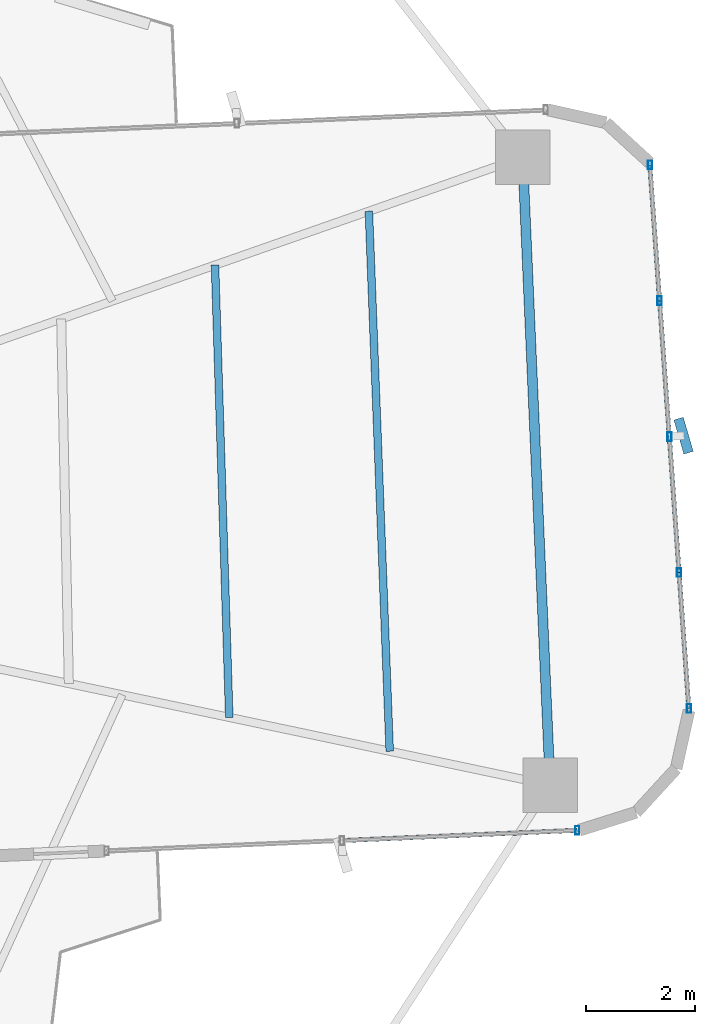
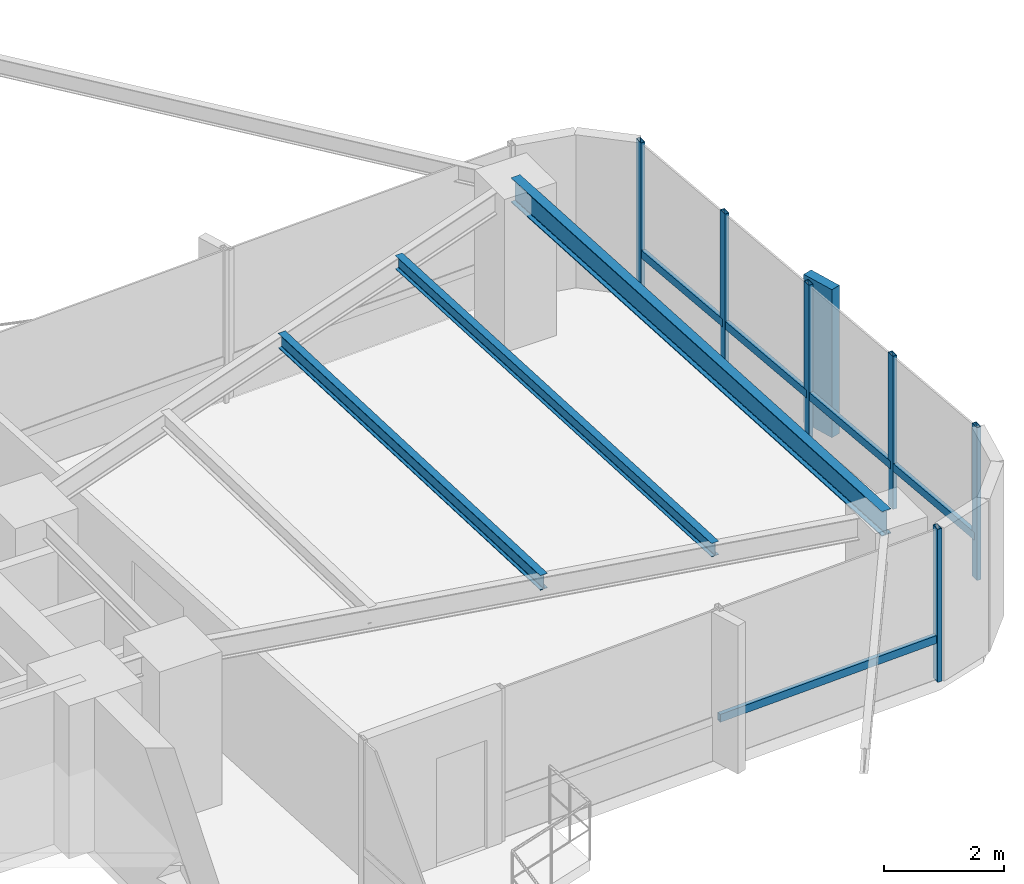
# One storey, part 15 of 26: 12 members, 3 beams, 2 elements without a shape of their own.
"""IFC4 building model written with IfcOpenShell, lengths in metres."""

import ifcopenshell
import ifcopenshell.guid

model = None  # the IFC model being written
_history = None  # IfcOwnerHistory: only IFC2X3 demands one
_inside = {}  # id of a spatial element -> (the spatial element, [elements in it])
_under = {}  # id of a project, library or spatial element -> (it, [spatial elements below it])
_declared = {}  # id of a project -> (the project, [libraries it declares])
_typed = {}  # id of a type object -> (the type object, [elements of that type])
_made_of = {}  # id of a material, layer set ... -> (it, [elements and type objects made of it])


def new_model(schema):
    """Start an empty IFC model of exactly this schema.

    Asked for "IFC4X3", IfcOpenShell would pick the latest addendum, in which some entities
    have other attributes; the version numbers below select the first issue.
    IFC2X3 requires an IfcOwnerHistory on every rooted entity: one is made here for all.
    """
    global model, _history
    if schema == "IFC4X3":
        model = ifcopenshell.file(schema_version=(4, 3, 0, 0))
    else:
        model = ifcopenshell.file(schema=schema)
    _inside.clear()
    _under.clear()
    _declared.clear()
    _typed.clear()
    _made_of.clear()
    _history = None
    if model.schema == "IFC2X3":
        org = make("IfcOrganization", Name="unknown")
        user = make(
            "IfcPersonAndOrganization",
            ThePerson=make("IfcPerson", FamilyName="unknown"),
            TheOrganization=org,
        )
        app = make(
            "IfcApplication",
            ApplicationDeveloper=org,
            Version="unknown",
            ApplicationFullName="unknown",
            ApplicationIdentifier="unknown",
        )
        _history = make(
            "IfcOwnerHistory",
            OwningUser=user,
            OwningApplication=app,
            ChangeAction="ADDED",
            CreationDate=0,
        )
    return model


def make(cls, **values):
    """One entity of the class cls with the attributes given. An attribute that is None is left unset."""
    return model.create_entity(
        cls, **{name: value for name, value in values.items() if value is not None}
    )


def rooted(cls, **values):
    """An entity with a GlobalId (a new one), such as an element, a storey or a relation."""
    return make(cls, GlobalId=ifcopenshell.guid.new(), OwnerHistory=_history, **values)


def si_unit(unit_type, name, prefix=None):
    """IfcSIUnit, for example si_unit("LENGTHUNIT", "METRE", prefix="MILLI")."""
    return make("IfcSIUnit", UnitType=unit_type, Prefix=prefix, Name=name)


def assignment(units):
    """IfcUnitAssignment: the units of a project."""
    return None if units is None else make("IfcUnitAssignment", Units=units)


def point(xyz):
    """IfcCartesianPoint."""
    return None if xyz is None else make("IfcCartesianPoint", Coordinates=xyz)


def direction(xyz):
    """IfcDirection."""
    return None if xyz is None else make("IfcDirection", DirectionRatios=xyz)


def frame(location, z_axis=None, x_axis=None):
    """IfcAxis2Placement3D, a coordinate frame: its origin and axes. An axis left out is left unset."""
    return make(
        "IfcAxis2Placement3D",
        Location=point(location),
        Axis=direction(z_axis),
        RefDirection=direction(x_axis),
    )


def frame_2d(location, x_axis=None):
    """IfcAxis2Placement2D, a coordinate frame in the plane: its origin and x axis."""
    return make(
        "IfcAxis2Placement2D", Location=point(location), RefDirection=direction(x_axis)
    )


def origin():
    """The frame at (0, 0, 0) with its axes left unset."""
    return frame((0.0, 0.0, 0.0))


def origin_2d():
    """The frame at (0, 0) in the plane with its x axis left unset."""
    return frame_2d((0.0, 0.0))


def place(relative_to, where):
    """IfcLocalPlacement: puts the frame where relative to a parent placement (None: the world)."""
    return make(
        "IfcLocalPlacement", PlacementRelTo=relative_to, RelativePlacement=where
    )


def context(
    kind, dimensions, precision=None, world=None, true_north=None, identifier=None
):
    """IfcGeometricRepresentationContext, for example the 3D "Model" context."""
    return make(
        "IfcGeometricRepresentationContext",
        ContextIdentifier=identifier,
        ContextType=kind,
        CoordinateSpaceDimension=dimensions,
        Precision=precision,
        WorldCoordinateSystem=world,
        TrueNorth=true_north,
    )


def subcontext(parent, identifier, kind, view, scale=None):
    """IfcGeometricRepresentationSubContext, for example "Body" below "Model"."""
    return make(
        "IfcGeometricRepresentationSubContext",
        ContextIdentifier=identifier,
        ContextType=kind,
        ParentContext=parent,
        TargetScale=scale,
        TargetView=view,
    )


def project(units=None, contexts=None):
    """IfcProject with its units and contexts."""
    return rooted(
        "IfcProject",
        Name="project",
        RepresentationContexts=contexts,
        UnitsInContext=assignment(units),
    )


def spatial(cls, under=None, at=None, **own):
    """A site, building, storey or space (cls), placed at a placement, below another one or the project."""
    s = rooted(cls, ObjectPlacement=at, **own)
    if under is not None:
        _under.setdefault(under.id(), (under, []))[1].append(s)
    return s


def profile(cls, at=None, kind="AREA", **sizes):
    """A parametric profile (cls). Its sizes go by their IFC names, for example OverallWidth=200.0."""
    return make(cls, ProfileType=kind, Position=at, **sizes)


def rectangle(**sizes):
    """IfcRectangleProfileDef."""
    return profile("IfcRectangleProfileDef", **sizes)


def hollow_rectangle(**sizes):
    """IfcRectangleHollowProfileDef."""
    return profile("IfcRectangleHollowProfileDef", **sizes)


def i_section(**sizes):
    """IfcIShapeProfileDef."""
    return profile("IfcIShapeProfileDef", **sizes)


def extrude(swept, where, along, depth):
    """IfcExtrudedAreaSolid: the profile swept, set in the frame where, extruded along a direction by depth."""
    return make(
        "IfcExtrudedAreaSolid",
        SweptArea=swept,
        Position=where,
        ExtrudedDirection=direction(along),
        Depth=depth,
    )


def shape(context_of_items, identifier, shape_type, items):
    """IfcShapeRepresentation: the items that make up one representation, for example the "Body"."""
    return make(
        "IfcShapeRepresentation",
        ContextOfItems=context_of_items,
        RepresentationIdentifier=identifier,
        RepresentationType=shape_type,
        Items=items,
    )


def source(mapping_origin, context_of_items, identifier, shape_type, items):
    """IfcRepresentationMap: a shape defined once, which mapped items show again and again."""
    return make(
        "IfcRepresentationMap",
        MappingOrigin=mapping_origin,
        MappedRepresentation=shape(context_of_items, identifier, shape_type, items),
    )


def transform(
    local_origin,
    x_axis=None,
    y_axis=None,
    z_axis=None,
    scale=None,
    scale2=None,
    scale3=None,
    uniform=True,
):
    """IfcCartesianTransformationOperator3D, or its non-uniform kind. x_axis, y_axis, z_axis: its Axis1, 2, 3."""
    if uniform:
        return make(
            "IfcCartesianTransformationOperator3D",
            Axis1=direction(x_axis),
            Axis2=direction(y_axis),
            LocalOrigin=point(local_origin),
            Scale=scale,
            Axis3=direction(z_axis),
        )
    return make(
        "IfcCartesianTransformationOperator3DnonUniform",
        Axis1=direction(x_axis),
        Axis2=direction(y_axis),
        LocalOrigin=point(local_origin),
        Scale=scale,
        Axis3=direction(z_axis),
        Scale2=scale2,
        Scale3=scale3,
    )


def mapped(mapping_source, mapping_target):
    """IfcMappedItem: shows the shape of a source again, moved by a transform."""
    return make(
        "IfcMappedItem", MappingSource=mapping_source, MappingTarget=mapping_target
    )


def material(Name=None, Category=None):
    """IfcMaterial."""
    return make("IfcMaterial", Name=Name, Category=Category)


def material_profile(
    of_material, cross_section, Name=None, Category=None, Priority=None
):
    """IfcMaterialProfile: a cross section and its material."""
    return make(
        "IfcMaterialProfile",
        Name=Name,
        Material=of_material,
        Profile=cross_section,
        Priority=Priority,
        Category=Category,
    )


def profile_set(profiles, Name=None, composite=None):
    """IfcMaterialProfileSet."""
    return make(
        "IfcMaterialProfileSet",
        Name=Name,
        MaterialProfiles=profiles,
        CompositeProfile=composite,
    )


def made_of(thing, what):
    """Note that an element or type object is made of a material, layer set ...; save() writes the relation."""
    if what is not None:
        _made_of.setdefault(what.id(), (what, []))[1].append(thing)
    return thing


def type_object(cls, material=None, **own):
    """A type object (cls), such as IfcWallType, which elements share."""
    return made_of(rooted(cls, **own), material)


def element(
    cls,
    number,
    at=None,
    inside=None,
    cuts=None,
    type_object=None,
    material=None,
    context=None,
    identifier="Body",
    shape_type=None,
    held_by="IfcProductDefinitionShape",
    body=None,
    shapes=None,
    **own,
):
    """One element of the class cls, such as IfcWall. Its Tag is "e" and its number.

    at: its placement. inside: the storey or other place that contains it. cuts: it is an
    opening in that element (IfcRelVoidsElement). A single representation is given by context,
    identifier, shape_type and body (its items); several are given by shapes. held_by: the class
    of the entity that holds the representations. save() writes the other relations.
    """
    e = rooted(cls, Tag="e%d" % number, ObjectPlacement=at, **own)
    if body is not None:
        shapes = [shape(context, identifier, shape_type, body)]
    if shapes is not None:
        e.Representation = make(held_by, Representations=shapes)
    if inside is not None:
        _inside.setdefault(inside.id(), (inside, []))[1].append(e)
    if cuts is not None:
        rooted(
            "IfcRelVoidsElement", RelatingBuildingElement=cuts, RelatedOpeningElement=e
        )
    if type_object is not None:
        _typed.setdefault(type_object.id(), (type_object, []))[1].append(e)
    return made_of(e, material)


def aggregate(whole, parts):
    """IfcRelAggregates: a whole, such as a stair, and the parts it consists of."""
    return rooted("IfcRelAggregates", RelatingObject=whole, RelatedObjects=parts)


def save(model, path):
    """Write the relations noted so far, then the file.

    IfcRelAggregates (storeys below a building ...), IfcRelContainedInSpatialStructure (elements
    in a storey), IfcRelDefinesByType, IfcRelAssociatesMaterial and IfcRelDeclares: one each for
    every whole, place, type object, material and project.
    """
    for whole, parts in _under.values():
        aggregate(whole, parts)
    for where, things in _inside.values():
        rooted(
            "IfcRelContainedInSpatialStructure",
            RelatedElements=things,
            RelatingStructure=where,
        )
    for kind, things in _typed.values():
        rooted("IfcRelDefinesByType", RelatedObjects=things, RelatingType=kind)
    for what, things in _made_of.values():
        rooted("IfcRelAssociatesMaterial", RelatedObjects=things, RelatingMaterial=what)
    for by, libraries in _declared.values():
        rooted("IfcRelDeclares", RelatingContext=by, RelatedDefinitions=libraries)
    model.write(path)


model = new_model("IFC4")

# Units and contexts
model_context = context("Model", 3, precision=1e-05, world=origin(), true_north=direction((0.0, 1.0)))
body_context = subcontext(model_context, "Body", "Model", "MODEL_VIEW")
ifc_project = project(units=[si_unit("LENGTHUNIT", "METRE"), si_unit("AREAUNIT", "SQUARE_METRE"), si_unit("VOLUMEUNIT", "CUBIC_METRE"), si_unit("PLANEANGLEUNIT", "RADIAN"), si_unit("MASSUNIT", "GRAM", prefix="KILO")], contexts=[model_context])

# Site, building, storey
site_placement = place(None, origin())
site = spatial("IfcSite", under=ifc_project, at=site_placement, CompositionType="ELEMENT")
building_placement = place(site_placement, origin())
building = spatial("IfcBuilding", under=site, at=building_placement, Name="Sahyath Konkavel Grand Hotel", CompositionType="ELEMENT")
storey_placement = place(building_placement, frame((0.0, 0.0, 121.5)))
storey = spatial("IfcBuildingStorey", under=building, at=storey_placement, Name="L33", CompositionType="ELEMENT", Elevation=121.5)

# Beams
ifc_material_1 = material(Name="Steel E350", Category="steel")
ifc_material_profile_1 = material_profile(ifc_material_1, i_section(OverallWidth=0.179931640625, OverallDepth=0.5, WebThickness=0.01025390625, FlangeThickness=0.01708984375, FilletRadius=0.01708984375, at=origin_2d()), Name="ISMB 500")
ifc_profile_set_1 = profile_set([ifc_material_profile_1], Name="Steel E350")
beam_type_1 = type_object("IfcBeamType", Name="BM-ISMB500", PredefinedType="BEAM", material=ifc_profile_set_1)
shared_shape_1 = source(origin(), body_context, "Body", "SweptSolid", [
    extrude(i_section(OverallWidth=0.179931640625, OverallDepth=0.5, WebThickness=0.01025390625, FlangeThickness=0.01708984375, FilletRadius=0.01708984375, at=origin_2d()), origin(), (0.0, 0.0, 1.0), 11.5),
])
beam_1_placement = place(storey_placement, frame((17.734130859375, -4.981201171875, 2.860107421875), z_axis=(-0.043627008892, 0.99904788879, 0.0), x_axis=(-0.99904788879, -0.043627008892, 0.0)))
element("IfcBeam", 1, at=beam_1_placement, inside=storey, type_object=beam_type_1, Name="L33 Wing Tip Edge Beam E", PredefinedType="BEAM", context=body_context, shape_type="MappedRepresentation", body=[
    mapped(shared_shape_1, transform((0.0, 0.0, 0.0), scale=1.0)),
])
ifc_material_profile_2 = material_profile(ifc_material_1, i_section(OverallWidth=0.139892578125, OverallDepth=0.300048828125, WebThickness=0.0078125, FlangeThickness=0.01318359375, FilletRadius=0.013916015625, at=origin_2d()), Name="ISMB 300")
ifc_profile_set_2 = profile_set([ifc_material_profile_2], Name="Steel E350")
beam_type_2 = type_object("IfcBeamType", Name="BM-ISMB300", PredefinedType="BEAM", material=ifc_profile_set_2)
shared_shape_2 = source(origin(), body_context, "Body", "SweptSolid", [
    extrude(i_section(OverallWidth=0.139892578125, OverallDepth=0.300048828125, WebThickness=0.0078125, FlangeThickness=0.01318359375, FilletRadius=0.013916015625, at=origin_2d()), origin(), (0.0, 0.0, 1.0), 8.282470703125),
])
beam_2_placement = place(storey_placement, frame((11.86181640625, -3.7421875, 2.9599609375), z_axis=(-0.031510827707, 0.999503410568, 0.0), x_axis=(-0.999503410568, -0.031510827707, 0.0)))
element("IfcBeam", 2, at=beam_2_placement, inside=storey, type_object=beam_type_2, Name="L33 Secondary Floor Beam E-2", PredefinedType="BEAM", context=body_context, shape_type="MappedRepresentation", body=[
    mapped(shared_shape_2, transform((0.0, 0.0, 0.0), scale=1.0)),
])
ifc_material_profile_3 = material_profile(ifc_material_1, i_section(OverallWidth=0.139892578125, OverallDepth=0.27490234375, WebThickness=0.00634765625, FlangeThickness=0.0087890625, FilletRadius=0.012939453125, at=origin_2d()), Name="ISLB 275")
ifc_profile_set_3 = profile_set([ifc_material_profile_3], Name="Steel E350")
beam_type_3 = type_object("IfcBeamType", Name="BM-ISLB275", PredefinedType="BEAM", material=ifc_profile_set_3)
shared_shape_3 = source(origin(), body_context, "Body", "SweptSolid", [
    extrude(i_section(OverallWidth=0.139892578125, OverallDepth=0.27490234375, WebThickness=0.00634765625, FlangeThickness=0.0087890625, FilletRadius=0.012939453125, at=origin_2d()), origin(), (0.0, 0.0, 1.0), 9.89111328125),
])
beam_3_placement = place(storey_placement, frame((14.798095703125, -4.36181640625, 2.972412109375), z_axis=(-0.03855445741, 0.999256500511, 0.0), x_axis=(-0.999256500511, -0.03855445741, 0.0)))
element("IfcBeam", 3, at=beam_3_placement, inside=storey, type_object=beam_type_3, Name="L33 Secondary Floor Beam E-3", PredefinedType="BEAM", context=body_context, shape_type="MappedRepresentation", body=[
    mapped(shared_shape_3, transform((0.0, 0.0, 0.0), scale=1.0)),
])

# Curtain wall, member
ifc_material_2 = material(Name="Anodised Bronze Aluminium & Low-E Glazing", Category="aluminium")
curtain_wall_type = type_object("IfcCurtainWallType", Name="CW-ZONE2", PredefinedType="NOTDEFINED", material=ifc_material_2)
curtain_wall_1_placement = place(storey_placement, origin())
curtain_wall_1 = element("IfcCurtainWall", 4, at=curtain_wall_1_placement, inside=storey, type_object=curtain_wall_type, Name="L33 Unitised Curtain Wall F4", PredefinedType="NOTDEFINED")
ifc_material_3 = material(Name="Warm Buff Sandstone Cladding on Concrete C50/60", Category="masonry")
ifc_material_profile_4 = material_profile(ifc_material_3, rectangle(XDim=0.179931640625, YDim=0.64990234375, at=origin_2d()), Name="FIN 180x650")
ifc_profile_set_4 = profile_set([ifc_material_profile_4], Name="Warm Buff Sandstone Cladding on Concrete C50/60")
member_type_1 = type_object("IfcMemberType", Name="FIN-SANDSTONE-650", PredefinedType="MULLION", material=ifc_profile_set_4)
shared_shape_4 = source(origin(), body_context, "Body", "SweptSolid", [
    extrude(rectangle(XDim=0.179931640625, YDim=0.64990234375, at=origin_2d()), origin(), (0.0, 0.0, 1.0), 3.010009765625),
])
member_1_placement = place(storey_placement, frame((20.1767578125, 1.413818359375, 0.050048828125), z_axis=(0.0, 0.0, 1.0), x_axis=(0.959854262938, 0.280499187022, 0.0)))
member_1 = element("IfcMember", 5, at=member_1_placement, type_object=member_type_1, Name="L33 Sandstone Vertical Solar Fin FIN F4-2", PredefinedType="MULLION", context=body_context, shape_type="MappedRepresentation", body=[
    mapped(shared_shape_4, transform((0.0, 0.0, 0.0), scale=1.0)),
])

curtain_wall_2_placement = place(storey_placement, origin())
curtain_wall_2 = element("IfcCurtainWall", 6, at=curtain_wall_2_placement, inside=storey, type_object=curtain_wall_type, Name="L33 Unitised Curtain Wall F0", PredefinedType="NOTDEFINED")
ifc_material_4 = material(Name="Anodised Bronze Aluminium", Category="aluminium")
ifc_material_profile_5 = material_profile(ifc_material_4, hollow_rectangle(XDim=0.080078125, YDim=0.159912109375, WallThickness=0.006103515625, at=origin_2d()), Name="RHS 160x80x6")
ifc_profile_set_5 = profile_set([ifc_material_profile_5], Name="Anodised Bronze Aluminium")
member_type_2 = type_object("IfcMemberType", Name="CW-MUL-160", PredefinedType="MULLION", material=ifc_profile_set_5)
shared_shape_5 = source(origin(), body_context, "Body", "SweptSolid", [
    extrude(hollow_rectangle(XDim=0.080078125, YDim=0.159912109375, WallThickness=0.006103515625, at=origin_2d()), origin(), (0.0, 0.0, 1.0), 3.110107421875),
])
member_2_placement = place(storey_placement, frame((18.230712890625, -5.810302734375, 0.0), z_axis=(0.0, 0.0, 1.0), x_axis=(1.0, 0.0, 0.0)))
member_2 = element("IfcMember", 7, at=member_2_placement, type_object=member_type_2, Name="L33 Curtain Wall Mullion F0-2", PredefinedType="MULLION", context=body_context, shape_type="MappedRepresentation", body=[
    mapped(shared_shape_5, transform((0.0, 0.0, 0.0), scale=1.0)),
])

# Member
member_3_placement = place(storey_placement, frame((20.2744140625, -3.5791015625, 0.0), z_axis=(0.0, 0.0, 1.0), x_axis=(1.0, 0.0, 0.0)))
member_3 = element("IfcMember", 8, at=member_3_placement, type_object=member_type_2, Name="L33 Curtain Wall Mullion F4-0", PredefinedType="MULLION", context=body_context, shape_type="MappedRepresentation", body=[
    mapped(shared_shape_5, transform((0.0, 0.0, 0.0), scale=1.0)),
])

member_4_placement = place(storey_placement, frame((20.095947265625, -1.092041015625, 0.0), z_axis=(0.0, 0.0, 1.0), x_axis=(1.0, 0.0, 0.0)))
member_4 = element("IfcMember", 9, at=member_4_placement, type_object=member_type_2, Name="L33 Curtain Wall Mullion F4-1", PredefinedType="MULLION", context=body_context, shape_type="MappedRepresentation", body=[
    mapped(shared_shape_5, transform((0.0, 0.0, 0.0), scale=1.0)),
])

member_5_placement = place(storey_placement, frame((19.91748046875, 1.39501953125, 0.0), z_axis=(0.0, 0.0, 1.0), x_axis=(1.0, 0.0, 0.0)))
member_5 = element("IfcMember", 10, at=member_5_placement, type_object=member_type_2, Name="L33 Curtain Wall Mullion F4-2", PredefinedType="MULLION", context=body_context, shape_type="MappedRepresentation", body=[
    mapped(shared_shape_5, transform((0.0, 0.0, 0.0), scale=1.0)),
])

member_6_placement = place(storey_placement, frame((19.739013671875, 3.882080078125, 0.0), z_axis=(0.0, 0.0, 1.0), x_axis=(1.0, 0.0, 0.0)))
member_6 = element("IfcMember", 11, at=member_6_placement, type_object=member_type_2, Name="L33 Curtain Wall Mullion F4-3", PredefinedType="MULLION", context=body_context, shape_type="MappedRepresentation", body=[
    mapped(shared_shape_5, transform((0.0, 0.0, 0.0), scale=1.0)),
])

member_7_placement = place(storey_placement, frame((19.560546875, 6.369384765625, 0.0), z_axis=(0.0, 0.0, 1.0), x_axis=(1.0, 0.0, 0.0)))
member_7 = element("IfcMember", 12, at=member_7_placement, type_object=member_type_2, Name="L33 Curtain Wall Mullion F4-4", PredefinedType="MULLION", context=body_context, shape_type="MappedRepresentation", body=[
    mapped(shared_shape_5, transform((0.0, 0.0, 0.0), scale=1.0)),
])

ifc_material_profile_6 = material_profile(ifc_material_4, hollow_rectangle(XDim=0.080078125, YDim=0.159912109375, WallThickness=0.006103515625, at=origin_2d()), Name="RHS 160x80x6")
ifc_profile_set_6 = profile_set([ifc_material_profile_6], Name="Anodised Bronze Aluminium")
member_type_3 = type_object("IfcMemberType", Name="CW-TRN-160", PredefinedType="USERDEFINED", material=ifc_profile_set_6)
shared_shape_6 = source(origin(), body_context, "Body", "SweptSolid", [
    extrude(hollow_rectangle(XDim=0.080078125, YDim=0.159912109375, WallThickness=0.006103515625, at=origin_2d()), origin(), (0.0, 0.0, 1.0), 4.31005859375),
])
member_8_placement = place(storey_placement, frame((13.9248046875, -5.998291015625, 0.85009765625), z_axis=(0.999048340188, 0.043616670746, 0.0), x_axis=(-0.043616670746, 0.999048340188, 0.0)))
member_8 = element("IfcMember", 13, at=member_8_placement, type_object=member_type_3, Name="L33 Curtain Wall Transom F0-1-spandrel", ObjectType="TRANSOM", PredefinedType="USERDEFINED", context=body_context, shape_type="MappedRepresentation", body=[
    mapped(shared_shape_6, transform((0.0, 0.0, 0.0), scale=1.0)),
])

aggregate(curtain_wall_2, [member_2, member_8])

shared_shape_7 = source(origin(), body_context, "Body", "SweptSolid", [
    extrude(hollow_rectangle(XDim=0.080078125, YDim=0.159912109375, WallThickness=0.006103515625, at=origin_2d()), origin(), (0.0, 0.0, 1.0), 2.493408203125),
])
member_9_placement = place(storey_placement, frame((20.2744140625, -3.5791015625, 0.85009765625), z_axis=(-0.071574084062, 0.997435286367, 0.0), x_axis=(-0.997435286367, -0.071574084062, 0.0)))
member_9 = element("IfcMember", 14, at=member_9_placement, type_object=member_type_3, Name="L33 Curtain Wall Transom F4-0-spandrel", ObjectType="TRANSOM", PredefinedType="USERDEFINED", context=body_context, shape_type="MappedRepresentation", body=[
    mapped(shared_shape_7, transform((0.0, 0.0, 0.0), scale=1.0)),
])

member_10_placement = place(storey_placement, frame((20.095947265625, -1.092041015625, 0.85009765625), z_axis=(-0.071574084062, 0.997435286367, 0.0), x_axis=(-0.997435286367, -0.071574084062, 0.0)))
member_10 = element("IfcMember", 15, at=member_10_placement, type_object=member_type_3, Name="L33 Curtain Wall Transom F4-1-spandrel", ObjectType="TRANSOM", PredefinedType="USERDEFINED", context=body_context, shape_type="MappedRepresentation", body=[
    mapped(shared_shape_7, transform((0.0, 0.0, 0.0), scale=1.0)),
])

member_11_placement = place(storey_placement, frame((19.91748046875, 1.39501953125, 0.85009765625), z_axis=(-0.071574084062, 0.997435286367, 0.0), x_axis=(-0.997435286367, -0.071574084062, 0.0)))
member_11 = element("IfcMember", 16, at=member_11_placement, type_object=member_type_3, Name="L33 Curtain Wall Transom F4-2-spandrel", ObjectType="TRANSOM", PredefinedType="USERDEFINED", context=body_context, shape_type="MappedRepresentation", body=[
    mapped(shared_shape_7, transform((0.0, 0.0, 0.0), scale=1.0)),
])

shared_shape_8 = source(origin(), body_context, "Body", "SweptSolid", [
    extrude(hollow_rectangle(XDim=0.080078125, YDim=0.159912109375, WallThickness=0.006103515625, at=origin_2d()), origin(), (0.0, 0.0, 1.0), 2.49365234375),
])
member_12_placement = place(storey_placement, frame((19.739013671875, 3.882080078125, 0.85009765625), z_axis=(-0.071567094714, 0.997435787885, 0.0), x_axis=(-0.997435787885, -0.071567094714, 0.0)))
member_12 = element("IfcMember", 17, at=member_12_placement, type_object=member_type_3, Name="L33 Curtain Wall Transom F4-3-spandrel", ObjectType="TRANSOM", PredefinedType="USERDEFINED", context=body_context, shape_type="MappedRepresentation", body=[
    mapped(shared_shape_8, transform((0.0, 0.0, 0.0), scale=1.0)),
])

aggregate(curtain_wall_1, [member_3, member_4, member_5, member_1, member_6, member_7, member_9, member_10, member_11, member_12])

save(model, "model.ifc")
